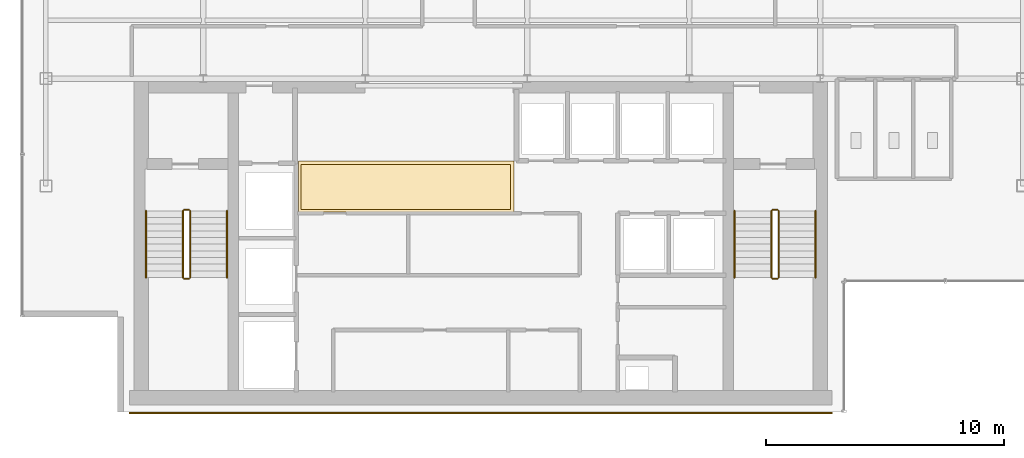
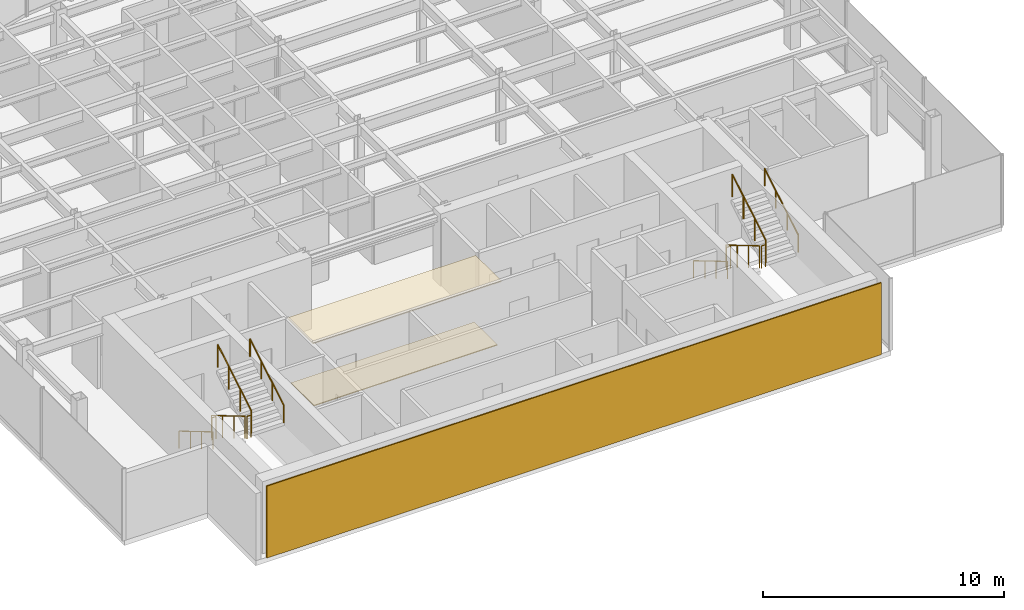
# One storey, part 20 of 22: 12 railings, 3 coverings.
"""IFC4 building model written with IfcOpenShell, lengths in metres."""

import ifcopenshell
import ifcopenshell.guid

model = None  # the IFC model being written
_history = None  # IfcOwnerHistory: only IFC2X3 demands one
_inside = {}  # id of a spatial element -> (the spatial element, [elements in it])
_under = {}  # id of a project, library or spatial element -> (it, [spatial elements below it])
_declared = {}  # id of a project -> (the project, [libraries it declares])
_typed = {}  # id of a type object -> (the type object, [elements of that type])
_made_of = {}  # id of a material, layer set ... -> (it, [elements and type objects made of it])


def new_model(schema):
    """Start an empty IFC model of exactly this schema.

    Asked for "IFC4X3", IfcOpenShell would pick the latest addendum, in which some entities
    have other attributes; the version numbers below select the first issue.
    IFC2X3 requires an IfcOwnerHistory on every rooted entity: one is made here for all.
    """
    global model, _history
    if schema == "IFC4X3":
        model = ifcopenshell.file(schema_version=(4, 3, 0, 0))
    else:
        model = ifcopenshell.file(schema=schema)
    _inside.clear()
    _under.clear()
    _declared.clear()
    _typed.clear()
    _made_of.clear()
    _history = None
    if model.schema == "IFC2X3":
        org = make("IfcOrganization", Name="unknown")
        user = make(
            "IfcPersonAndOrganization",
            ThePerson=make("IfcPerson", FamilyName="unknown"),
            TheOrganization=org,
        )
        app = make(
            "IfcApplication",
            ApplicationDeveloper=org,
            Version="unknown",
            ApplicationFullName="unknown",
            ApplicationIdentifier="unknown",
        )
        _history = make(
            "IfcOwnerHistory",
            OwningUser=user,
            OwningApplication=app,
            ChangeAction="ADDED",
            CreationDate=0,
        )
    return model


def make(cls, **values):
    """One entity of the class cls with the attributes given. An attribute that is None is left unset."""
    return model.create_entity(
        cls, **{name: value for name, value in values.items() if value is not None}
    )


def rooted(cls, **values):
    """An entity with a GlobalId (a new one), such as an element, a storey or a relation."""
    return make(cls, GlobalId=ifcopenshell.guid.new(), OwnerHistory=_history, **values)


def si_unit(unit_type, name, prefix=None):
    """IfcSIUnit, for example si_unit("LENGTHUNIT", "METRE", prefix="MILLI")."""
    return make("IfcSIUnit", UnitType=unit_type, Prefix=prefix, Name=name)


def derived_unit(unit_type, elements):
    """IfcDerivedUnit: a product of units, each with its exponent."""
    return make(
        "IfcDerivedUnit",
        Elements=[
            make("IfcDerivedUnitElement", Unit=unit, Exponent=power)
            for unit, power in elements
        ],
        UnitType=unit_type,
    )


def assignment(units):
    """IfcUnitAssignment: the units of a project."""
    return None if units is None else make("IfcUnitAssignment", Units=units)


def point(xyz):
    """IfcCartesianPoint."""
    return None if xyz is None else make("IfcCartesianPoint", Coordinates=xyz)


def direction(xyz):
    """IfcDirection."""
    return None if xyz is None else make("IfcDirection", DirectionRatios=xyz)


def frame(location, z_axis=None, x_axis=None):
    """IfcAxis2Placement3D, a coordinate frame: its origin and axes. An axis left out is left unset."""
    return make(
        "IfcAxis2Placement3D",
        Location=point(location),
        Axis=direction(z_axis),
        RefDirection=direction(x_axis),
    )


def frame_2d(location, x_axis=None):
    """IfcAxis2Placement2D, a coordinate frame in the plane: its origin and x axis."""
    return make(
        "IfcAxis2Placement2D", Location=point(location), RefDirection=direction(x_axis)
    )


def origin():
    """The frame at (0, 0, 0) with its axes left unset."""
    return frame((0.0, 0.0, 0.0))


def origin_2d():
    """The frame at (0, 0) in the plane with its x axis left unset."""
    return frame_2d((0.0, 0.0))


def place(relative_to, where):
    """IfcLocalPlacement: puts the frame where relative to a parent placement (None: the world)."""
    return make(
        "IfcLocalPlacement", PlacementRelTo=relative_to, RelativePlacement=where
    )


def context(
    kind, dimensions, precision=None, world=None, true_north=None, identifier=None
):
    """IfcGeometricRepresentationContext, for example the 3D "Model" context."""
    return make(
        "IfcGeometricRepresentationContext",
        ContextIdentifier=identifier,
        ContextType=kind,
        CoordinateSpaceDimension=dimensions,
        Precision=precision,
        WorldCoordinateSystem=world,
        TrueNorth=true_north,
    )


def subcontext(parent, identifier, kind, view, scale=None):
    """IfcGeometricRepresentationSubContext, for example "Body" below "Model"."""
    return make(
        "IfcGeometricRepresentationSubContext",
        ContextIdentifier=identifier,
        ContextType=kind,
        ParentContext=parent,
        TargetScale=scale,
        TargetView=view,
    )


def project(units=None, contexts=None):
    """IfcProject with its units and contexts."""
    return rooted(
        "IfcProject",
        Name="project",
        RepresentationContexts=contexts,
        UnitsInContext=assignment(units),
    )


def spatial(cls, under=None, at=None, **own):
    """A site, building, storey or space (cls), placed at a placement, below another one or the project."""
    s = rooted(cls, ObjectPlacement=at, **own)
    if under is not None:
        _under.setdefault(under.id(), (under, []))[1].append(s)
    return s


def polyline(points):
    """IfcPolyline through the points."""
    return make("IfcPolyline", Points=[point(p) for p in points])


def profile(cls, at=None, kind="AREA", **sizes):
    """A parametric profile (cls). Its sizes go by their IFC names, for example OverallWidth=200.0."""
    return make(cls, ProfileType=kind, Position=at, **sizes)


def rectangle(**sizes):
    """IfcRectangleProfileDef."""
    return profile("IfcRectangleProfileDef", **sizes)


def circle(**sizes):
    """IfcCircleProfileDef."""
    return profile("IfcCircleProfileDef", **sizes)


def outline(outer, holes=None, kind="AREA"):
    """IfcArbitraryClosedProfileDef: a profile drawn as a closed curve; with holes, ...WithVoids."""
    if holes is None:
        return make("IfcArbitraryClosedProfileDef", ProfileType=kind, OuterCurve=outer)
    return make(
        "IfcArbitraryProfileDefWithVoids",
        ProfileType=kind,
        OuterCurve=outer,
        InnerCurves=holes,
    )


def extrude(swept, where, along, depth):
    """IfcExtrudedAreaSolid: the profile swept, set in the frame where, extruded along a direction by depth."""
    return make(
        "IfcExtrudedAreaSolid",
        SweptArea=swept,
        Position=where,
        ExtrudedDirection=direction(along),
        Depth=depth,
    )


def shape(context_of_items, identifier, shape_type, items):
    """IfcShapeRepresentation: the items that make up one representation, for example the "Body"."""
    return make(
        "IfcShapeRepresentation",
        ContextOfItems=context_of_items,
        RepresentationIdentifier=identifier,
        RepresentationType=shape_type,
        Items=items,
    )


def source(mapping_origin, context_of_items, identifier, shape_type, items):
    """IfcRepresentationMap: a shape defined once, which mapped items show again and again."""
    return make(
        "IfcRepresentationMap",
        MappingOrigin=mapping_origin,
        MappedRepresentation=shape(context_of_items, identifier, shape_type, items),
    )


def transform(
    local_origin,
    x_axis=None,
    y_axis=None,
    z_axis=None,
    scale=None,
    scale2=None,
    scale3=None,
    uniform=True,
):
    """IfcCartesianTransformationOperator3D, or its non-uniform kind. x_axis, y_axis, z_axis: its Axis1, 2, 3."""
    if uniform:
        return make(
            "IfcCartesianTransformationOperator3D",
            Axis1=direction(x_axis),
            Axis2=direction(y_axis),
            LocalOrigin=point(local_origin),
            Scale=scale,
            Axis3=direction(z_axis),
        )
    return make(
        "IfcCartesianTransformationOperator3DnonUniform",
        Axis1=direction(x_axis),
        Axis2=direction(y_axis),
        LocalOrigin=point(local_origin),
        Scale=scale,
        Axis3=direction(z_axis),
        Scale2=scale2,
        Scale3=scale3,
    )


def mapped(mapping_source, mapping_target):
    """IfcMappedItem: shows the shape of a source again, moved by a transform."""
    return make(
        "IfcMappedItem", MappingSource=mapping_source, MappingTarget=mapping_target
    )


def material(Name=None, Category=None):
    """IfcMaterial."""
    return make("IfcMaterial", Name=Name, Category=Category)


def layer(
    of_material, thickness, ventilated=None, Name=None, Category=None, Priority=None
):
    """IfcMaterialLayer: one layer of a wall or slab, of a material (None: an air gap)."""
    return make(
        "IfcMaterialLayer",
        Material=of_material,
        LayerThickness=thickness,
        IsVentilated=ventilated,
        Name=Name,
        Category=Category,
        Priority=Priority,
    )


def layer_set(layers, Name=None):
    """IfcMaterialLayerSet."""
    return make("IfcMaterialLayerSet", MaterialLayers=layers, LayerSetName=Name)


def made_of(thing, what):
    """Note that an element or type object is made of a material, layer set ...; save() writes the relation."""
    if what is not None:
        _made_of.setdefault(what.id(), (what, []))[1].append(thing)
    return thing


def type_object(cls, material=None, **own):
    """A type object (cls), such as IfcWallType, which elements share."""
    return made_of(rooted(cls, **own), material)


def element(
    cls,
    number,
    at=None,
    inside=None,
    cuts=None,
    type_object=None,
    material=None,
    context=None,
    identifier="Body",
    shape_type=None,
    held_by="IfcProductDefinitionShape",
    body=None,
    shapes=None,
    **own,
):
    """One element of the class cls, such as IfcWall. Its Tag is "e" and its number.

    at: its placement. inside: the storey or other place that contains it. cuts: it is an
    opening in that element (IfcRelVoidsElement). A single representation is given by context,
    identifier, shape_type and body (its items); several are given by shapes. held_by: the class
    of the entity that holds the representations. save() writes the other relations.
    """
    e = rooted(cls, Tag="e%d" % number, ObjectPlacement=at, **own)
    if body is not None:
        shapes = [shape(context, identifier, shape_type, body)]
    if shapes is not None:
        e.Representation = make(held_by, Representations=shapes)
    if inside is not None:
        _inside.setdefault(inside.id(), (inside, []))[1].append(e)
    if cuts is not None:
        rooted(
            "IfcRelVoidsElement", RelatingBuildingElement=cuts, RelatedOpeningElement=e
        )
    if type_object is not None:
        _typed.setdefault(type_object.id(), (type_object, []))[1].append(e)
    return made_of(e, material)


def aggregate(whole, parts):
    """IfcRelAggregates: a whole, such as a stair, and the parts it consists of."""
    return rooted("IfcRelAggregates", RelatingObject=whole, RelatedObjects=parts)


def save(model, path):
    """Write the relations noted so far, then the file.

    IfcRelAggregates (storeys below a building ...), IfcRelContainedInSpatialStructure (elements
    in a storey), IfcRelDefinesByType, IfcRelAssociatesMaterial and IfcRelDeclares: one each for
    every whole, place, type object, material and project.
    """
    for whole, parts in _under.values():
        aggregate(whole, parts)
    for where, things in _inside.values():
        rooted(
            "IfcRelContainedInSpatialStructure",
            RelatedElements=things,
            RelatingStructure=where,
        )
    for kind, things in _typed.values():
        rooted("IfcRelDefinesByType", RelatedObjects=things, RelatingType=kind)
    for what, things in _made_of.values():
        rooted("IfcRelAssociatesMaterial", RelatedObjects=things, RelatingMaterial=what)
    for by, libraries in _declared.values():
        rooted("IfcRelDeclares", RelatingContext=by, RelatedDefinitions=libraries)
    model.write(path)


model = new_model("IFC4")

# Units and contexts
model_context = context("Model", 3, precision=1e-05, world=origin(), true_north=direction((0.0, 1.0)))
body_context = subcontext(model_context, "Body", "Model", "MODEL_VIEW")
ifc_project = project(units=[si_unit("LENGTHUNIT", "METRE"), si_unit("AREAUNIT", "SQUARE_METRE"), si_unit("VOLUMEUNIT", "CUBIC_METRE"), si_unit("PLANEANGLEUNIT", "RADIAN"), si_unit("MASSUNIT", "GRAM", prefix="KILO"), derived_unit("THERMALTRANSMITTANCEUNIT", [(si_unit("POWERUNIT", "WATT"), 1), (si_unit("LENGTHUNIT", "METRE"), -2), (si_unit("THERMODYNAMICTEMPERATUREUNIT", "KELVIN"), -1)])], contexts=[model_context])

# Site, building, storey
site_placement = place(None, origin())
site = spatial("IfcSite", under=ifc_project, at=site_placement, CompositionType="ELEMENT")
building_placement = place(site_placement, origin())
building = spatial("IfcBuilding", under=site, at=building_placement, Name="Skarnbrae Concourse Arena and Tower", CompositionType="ELEMENT")
storey_placement = place(building_placement, frame((0.0, 0.0, 228.75)))
storey = spatial("IfcBuildingStorey", under=building, at=storey_placement, Name="L59", CompositionType="ELEMENT", Elevation=228.75)

# Coverings
ifc_material_1 = material(Name="Mineral fibre acoustic ceiling tile", Category="other")
ifc_layer_1 = layer(ifc_material_1, 0.0400390625)
ifc_layer_set_1 = layer_set([ifc_layer_1], Name="Mineral fibre acoustic ceiling tile")
covering_type_1 = type_object("IfcCoveringType", Name="COV-CEIL-ACOUSTIC", PredefinedType="CEILING", material=ifc_layer_set_1)
covering_1_placement = place(storey_placement, frame((0.0, 0.0, 3.239990234375)))
element("IfcCovering", 1, at=covering_1_placement, inside=storey, type_object=covering_type_1, Name="L59 Lift lobby acoustic ceiling", PredefinedType="CEILING", context=body_context, shape_type="SweptSolid", body=[
    extrude(outline(polyline([(11.60009765625, 8.39990234375), (20.64990234375, 8.39990234375), (20.64990234375, 10.550048828125), (11.60009765625, 10.550048828125), (11.60009765625, 8.39990234375)])), origin(), (0.0, 0.0, 1.0), 0.0400390625),
])
ifc_material_2 = material(Name="Polished granite terrazzo flooring", Category="masonry")
ifc_layer_2 = layer(ifc_material_2, 0.0400390625)
ifc_layer_set_2 = layer_set([ifc_layer_2], Name="Polished granite terrazzo flooring")
covering_type_2 = type_object("IfcCoveringType", Name="COV-FLOOR-TERRAZZO", PredefinedType="FLOORING", material=ifc_layer_set_2)
covering_2_placement = place(storey_placement, origin())
element("IfcCovering", 2, at=covering_2_placement, inside=storey, type_object=covering_type_2, Name="L59 Lift lobby terrazzo flooring", PredefinedType="FLOORING", context=body_context, shape_type="SweptSolid", body=[
    extrude(outline(polyline([(11.699951171875, 8.5), (20.5, 8.5), (20.5, 10.39990234375), (11.699951171875, 10.39990234375), (11.699951171875, 8.5)])), origin(), (0.0, 0.0, 1.0), 0.0400390625),
])

# Railings
ifc_material_3 = material(Name="Steel CSA G40.21 350W", Category="steel")
railing_type_1 = type_object("IfcRailingType", Name="RAIL-HANDRAIL-900", PredefinedType="HANDRAIL", material=ifc_material_3)
railing_1_placement = place(storey_placement, frame((5.199951171875, 8.449951171875, 0.166015625)))
element("IfcRailing", 3, at=railing_1_placement, inside=storey, type_object=railing_type_1, Name="L59 ST-1 stair handrail 1", PredefinedType="HANDRAIL", context=body_context, shape_type="SweptSolid", body=[
    extrude(circle(Radius=0.02392578125, at=origin_2d()), frame((0.0, 0.0, 0.8759765625), z_axis=(0.0, -0.860339051648, 0.50972219513), x_axis=(1.0, 0.0, 0.0)), (0.0, 0.0, 1.0), 3.254638671875),
    extrude(circle(Radius=0.02099609375, at=origin_2d()), origin(), (0.0, 0.0, 1.0), 0.851806640625),
    extrude(circle(Radius=0.02099609375, at=origin_2d()), frame((0.0, -0.933349609375, 0.552978515625)), (0.0, 0.0, 1.0), 0.851806640625),
    extrude(circle(Radius=0.02099609375, at=origin_2d()), frame((0.0, -1.86669921875, 1.10595703125)), (0.0, 0.0, 1.0), 0.851806640625),
    extrude(circle(Radius=0.02099609375, at=origin_2d()), frame((0.0, -2.800048828125, 1.658935546875)), (0.0, 0.0, 1.0), 0.851806640625),
])
railing_2_placement = place(storey_placement, frame((8.60009765625, 5.64990234375, 1.990966796875)))
element("IfcRailing", 4, at=railing_2_placement, inside=storey, type_object=railing_type_1, Name="L59 ST-1 stair handrail 2", PredefinedType="HANDRAIL", context=body_context, shape_type="SweptSolid", body=[
    extrude(circle(Radius=0.02392578125, at=origin_2d()), frame((0.0, 0.0, 0.8759765625), z_axis=(0.0, 0.860339051648, 0.50972219513), x_axis=(-1.0, 0.0, 0.0)), (0.0, 0.0, 1.0), 3.254638671875),
    extrude(circle(Radius=0.02099609375, at=origin_2d()), origin(), (0.0, 0.0, 1.0), 0.851806640625),
    extrude(circle(Radius=0.02099609375, at=origin_2d()), frame((0.0, 0.933349609375, 0.552978515625)), (0.0, 0.0, 1.0), 0.851806640625),
    extrude(circle(Radius=0.02099609375, at=origin_2d()), frame((0.0, 1.86669921875, 1.10595703125)), (0.0, 0.0, 1.0), 0.851806640625),
    extrude(circle(Radius=0.02099609375, at=origin_2d()), frame((0.0, 2.800048828125, 1.658935546875)), (0.0, 0.0, 1.0), 0.851806640625),
])
railing_3_placement = place(storey_placement, frame((29.89990234375, 8.449951171875, 0.166015625)))
element("IfcRailing", 5, at=railing_3_placement, inside=storey, type_object=railing_type_1, Name="L59 ST-2 stair handrail 1", PredefinedType="HANDRAIL", context=body_context, shape_type="SweptSolid", body=[
    extrude(circle(Radius=0.02392578125, at=origin_2d()), frame((0.0, 0.0, 0.8759765625), z_axis=(0.0, -0.860339051648, 0.50972219513), x_axis=(1.0, 0.0, 0.0)), (0.0, 0.0, 1.0), 3.254638671875),
    extrude(circle(Radius=0.02099609375, at=origin_2d()), origin(), (0.0, 0.0, 1.0), 0.851806640625),
    extrude(circle(Radius=0.02099609375, at=origin_2d()), frame((0.0, -0.933349609375, 0.552978515625)), (0.0, 0.0, 1.0), 0.851806640625),
    extrude(circle(Radius=0.02099609375, at=origin_2d()), frame((0.0, -1.86669921875, 1.10595703125)), (0.0, 0.0, 1.0), 0.851806640625),
    extrude(circle(Radius=0.02099609375, at=origin_2d()), frame((0.0, -2.800048828125, 1.658935546875)), (0.0, 0.0, 1.0), 0.851806640625),
])
railing_4_placement = place(storey_placement, frame((33.300048828125, 5.64990234375, 1.990966796875)))
element("IfcRailing", 6, at=railing_4_placement, inside=storey, type_object=railing_type_1, Name="L59 ST-2 stair handrail 2", PredefinedType="HANDRAIL", context=body_context, shape_type="SweptSolid", body=[
    extrude(circle(Radius=0.02392578125, at=origin_2d()), frame((0.0, 0.0, 0.8759765625), z_axis=(0.0, 0.860339051648, 0.50972219513), x_axis=(-1.0, 0.0, 0.0)), (0.0, 0.0, 1.0), 3.254638671875),
    extrude(circle(Radius=0.02099609375, at=origin_2d()), origin(), (0.0, 0.0, 1.0), 0.851806640625),
    extrude(circle(Radius=0.02099609375, at=origin_2d()), frame((0.0, 0.933349609375, 0.552978515625)), (0.0, 0.0, 1.0), 0.851806640625),
    extrude(circle(Radius=0.02099609375, at=origin_2d()), frame((0.0, 1.86669921875, 1.10595703125)), (0.0, 0.0, 1.0), 0.851806640625),
    extrude(circle(Radius=0.02099609375, at=origin_2d()), frame((0.0, 2.800048828125, 1.658935546875)), (0.0, 0.0, 1.0), 0.851806640625),
])
railing_type_2 = type_object("IfcRailingType", Name="RAIL-STAIR-GUARD-1150", PredefinedType="GUARDRAIL", material=ifc_material_3)
railing_5_placement = place(storey_placement, frame((6.75, 8.449951171875, 0.166015625)))
element("IfcRailing", 7, at=railing_5_placement, inside=storey, type_object=railing_type_2, Name="L59 ST-1 stair guard 1", PredefinedType="GUARDRAIL", context=body_context, shape_type="SweptSolid", body=[
    extrude(circle(Radius=0.02392578125, at=origin_2d()), frame((0.0, 0.0, 1.1259765625), z_axis=(0.0, -0.860339051648, 0.50972219513), x_axis=(1.0, 0.0, 0.0)), (0.0, 0.0, 1.0), 3.254638671875),
    extrude(circle(Radius=0.02099609375, at=origin_2d()), origin(), (0.0, 0.0, 1.0), 1.101806640625),
    extrude(circle(Radius=0.02099609375, at=origin_2d()), frame((0.0, -0.933349609375, 0.552978515625)), (0.0, 0.0, 1.0), 1.101806640625),
    extrude(circle(Radius=0.02099609375, at=origin_2d()), frame((0.0, -1.86669921875, 1.10595703125)), (0.0, 0.0, 1.0), 1.101806640625),
    extrude(circle(Radius=0.02099609375, at=origin_2d()), frame((0.0, -2.800048828125, 1.658935546875)), (0.0, 0.0, 1.0), 1.101806640625),
])
railing_6_placement = place(storey_placement, frame((6.800048828125, 5.60009765625, 1.824951171875)))
element("IfcRailing", 8, at=railing_6_placement, inside=storey, type_object=railing_type_2, Name="L59 ST-1 stair guard 2", PredefinedType="GUARDRAIL", context=body_context, shape_type="SweptSolid", body=[
    extrude(circle(Radius=0.02392578125, at=origin_2d()), frame((0.0, 0.0, 1.1259765625), z_axis=(1.0, 0.0, 0.0), x_axis=(0.0, 1.0, 0.0)), (0.0, 0.0, 1.0), 0.199951171875),
    extrude(circle(Radius=0.02099609375, at=origin_2d()), origin(), (0.0, 0.0, 1.0), 1.101806640625),
    extrude(circle(Radius=0.02099609375, at=origin_2d()), frame((0.199951171875, 0.0, 0.0)), (0.0, 0.0, 1.0), 1.101806640625),
])
railing_7_placement = place(storey_placement, frame((7.050048828125, 5.64990234375, 1.990966796875)))
element("IfcRailing", 9, at=railing_7_placement, inside=storey, type_object=railing_type_2, Name="L59 ST-1 stair guard 3", PredefinedType="GUARDRAIL", context=body_context, shape_type="SweptSolid", body=[
    extrude(circle(Radius=0.02392578125, at=origin_2d()), frame((0.0, 0.0, 1.1259765625), z_axis=(0.0, 0.860339051648, 0.50972219513), x_axis=(-1.0, 0.0, 0.0)), (0.0, 0.0, 1.0), 3.254638671875),
    extrude(circle(Radius=0.02099609375, at=origin_2d()), origin(), (0.0, 0.0, 1.0), 1.101806640625),
    extrude(circle(Radius=0.02099609375, at=origin_2d()), frame((0.0, 0.933349609375, 0.552978515625)), (0.0, 0.0, 1.0), 1.101806640625),
    extrude(circle(Radius=0.02099609375, at=origin_2d()), frame((0.0, 1.86669921875, 1.10595703125)), (0.0, 0.0, 1.0), 1.101806640625),
    extrude(circle(Radius=0.02099609375, at=origin_2d()), frame((0.0, 2.800048828125, 1.658935546875)), (0.0, 0.0, 1.0), 1.101806640625),
])
railing_8_placement = place(storey_placement, frame((6.800048828125, 8.5, 0.0)))
element("IfcRailing", 10, at=railing_8_placement, inside=storey, type_object=railing_type_2, Name="L59 ST-1 stair guard 4", PredefinedType="GUARDRAIL", context=body_context, shape_type="SweptSolid", body=[
    extrude(circle(Radius=0.02392578125, at=origin_2d()), frame((0.0, 0.0, 1.1259765625), z_axis=(1.0, 0.0, 0.0), x_axis=(0.0, 1.0, 0.0)), (0.0, 0.0, 1.0), 0.199951171875),
    extrude(circle(Radius=0.02099609375, at=origin_2d()), origin(), (0.0, 0.0, 1.0), 1.101806640625),
    extrude(circle(Radius=0.02099609375, at=origin_2d()), frame((0.199951171875, 0.0, 0.0)), (0.0, 0.0, 1.0), 1.101806640625),
])
railing_9_placement = place(storey_placement, frame((31.449951171875, 8.449951171875, 0.166015625)))
element("IfcRailing", 11, at=railing_9_placement, inside=storey, type_object=railing_type_2, Name="L59 ST-2 stair guard 1", PredefinedType="GUARDRAIL", context=body_context, shape_type="SweptSolid", body=[
    extrude(circle(Radius=0.02392578125, at=origin_2d()), frame((0.0, 0.0, 1.1259765625), z_axis=(0.0, -0.860339051648, 0.50972219513), x_axis=(1.0, 0.0, 0.0)), (0.0, 0.0, 1.0), 3.254638671875),
    extrude(circle(Radius=0.02099609375, at=origin_2d()), origin(), (0.0, 0.0, 1.0), 1.101806640625),
    extrude(circle(Radius=0.02099609375, at=origin_2d()), frame((0.0, -0.933349609375, 0.552978515625)), (0.0, 0.0, 1.0), 1.101806640625),
    extrude(circle(Radius=0.02099609375, at=origin_2d()), frame((0.0, -1.86669921875, 1.10595703125)), (0.0, 0.0, 1.0), 1.101806640625),
    extrude(circle(Radius=0.02099609375, at=origin_2d()), frame((0.0, -2.800048828125, 1.658935546875)), (0.0, 0.0, 1.0), 1.101806640625),
])
railing_10_placement = place(storey_placement, frame((31.5, 5.60009765625, 1.824951171875)))
element("IfcRailing", 12, at=railing_10_placement, inside=storey, type_object=railing_type_2, Name="L59 ST-2 stair guard 2", PredefinedType="GUARDRAIL", context=body_context, shape_type="SweptSolid", body=[
    extrude(circle(Radius=0.02392578125, at=origin_2d()), frame((0.0, 0.0, 1.1259765625), z_axis=(1.0, 0.0, 0.0), x_axis=(0.0, 1.0, 0.0)), (0.0, 0.0, 1.0), 0.199951171875),
    extrude(circle(Radius=0.02099609375, at=origin_2d()), origin(), (0.0, 0.0, 1.0), 1.101806640625),
    extrude(circle(Radius=0.02099609375, at=origin_2d()), frame((0.199951171875, 0.0, 0.0)), (0.0, 0.0, 1.0), 1.101806640625),
])
railing_11_placement = place(storey_placement, frame((31.75, 5.64990234375, 1.990966796875)))
element("IfcRailing", 13, at=railing_11_placement, inside=storey, type_object=railing_type_2, Name="L59 ST-2 stair guard 3", PredefinedType="GUARDRAIL", context=body_context, shape_type="SweptSolid", body=[
    extrude(circle(Radius=0.02392578125, at=origin_2d()), frame((0.0, 0.0, 1.1259765625), z_axis=(0.0, 0.860339051648, 0.50972219513), x_axis=(-1.0, 0.0, 0.0)), (0.0, 0.0, 1.0), 3.254638671875),
    extrude(circle(Radius=0.02099609375, at=origin_2d()), origin(), (0.0, 0.0, 1.0), 1.101806640625),
    extrude(circle(Radius=0.02099609375, at=origin_2d()), frame((0.0, 0.933349609375, 0.552978515625)), (0.0, 0.0, 1.0), 1.101806640625),
    extrude(circle(Radius=0.02099609375, at=origin_2d()), frame((0.0, 1.86669921875, 1.10595703125)), (0.0, 0.0, 1.0), 1.101806640625),
    extrude(circle(Radius=0.02099609375, at=origin_2d()), frame((0.0, 2.800048828125, 1.658935546875)), (0.0, 0.0, 1.0), 1.101806640625),
])
railing_12_placement = place(storey_placement, frame((31.5, 8.5, 0.0)))
element("IfcRailing", 14, at=railing_12_placement, inside=storey, type_object=railing_type_2, Name="L59 ST-2 stair guard 4", PredefinedType="GUARDRAIL", context=body_context, shape_type="SweptSolid", body=[
    extrude(circle(Radius=0.02392578125, at=origin_2d()), frame((0.0, 0.0, 1.1259765625), z_axis=(1.0, 0.0, 0.0), x_axis=(0.0, 1.0, 0.0)), (0.0, 0.0, 1.0), 0.199951171875),
    extrude(circle(Radius=0.02099609375, at=origin_2d()), origin(), (0.0, 0.0, 1.0), 1.101806640625),
    extrude(circle(Radius=0.02099609375, at=origin_2d()), frame((0.199951171875, 0.0, 0.0)), (0.0, 0.0, 1.0), 1.101806640625),
])

# Covering
ifc_material_4 = material(Name="Bronze anodised aluminium 6063-T6", Category="aluminium")
ifc_layer_3 = layer(ifc_material_4, 0.06005859375)
ifc_layer_set_3 = layer_set([ifc_layer_3], Name="Bronze anodised aluminium 6063-T6")
covering_type_3 = type_object("IfcCoveringType", Name="COV-CLAD-BRONZE-60", PredefinedType="CLADDING", material=ifc_layer_set_3)
shared_shape = source(origin(), body_context, "Body", "SweptSolid", [
    extrude(rectangle(XDim=29.5, YDim=0.06005859375, at=origin_2d()), origin(), (0.0, 0.0, 1.0), 3.64990234375),
])
covering_3_placement = place(storey_placement, frame((19.25, -0.030029296875, 0.0), z_axis=(0.0, 0.0, 1.0), x_axis=(1.0, 0.0, 0.0)))
element("IfcCovering", 15, at=covering_3_placement, inside=storey, type_object=covering_type_3, Name="L59 Rear-core plumb spine bronze rainscreen panel", PredefinedType="CLADDING", context=body_context, shape_type="MappedRepresentation", body=[
    mapped(shared_shape, transform((0.0, 0.0, 0.0))),
])

save(model, "model.ifc")
